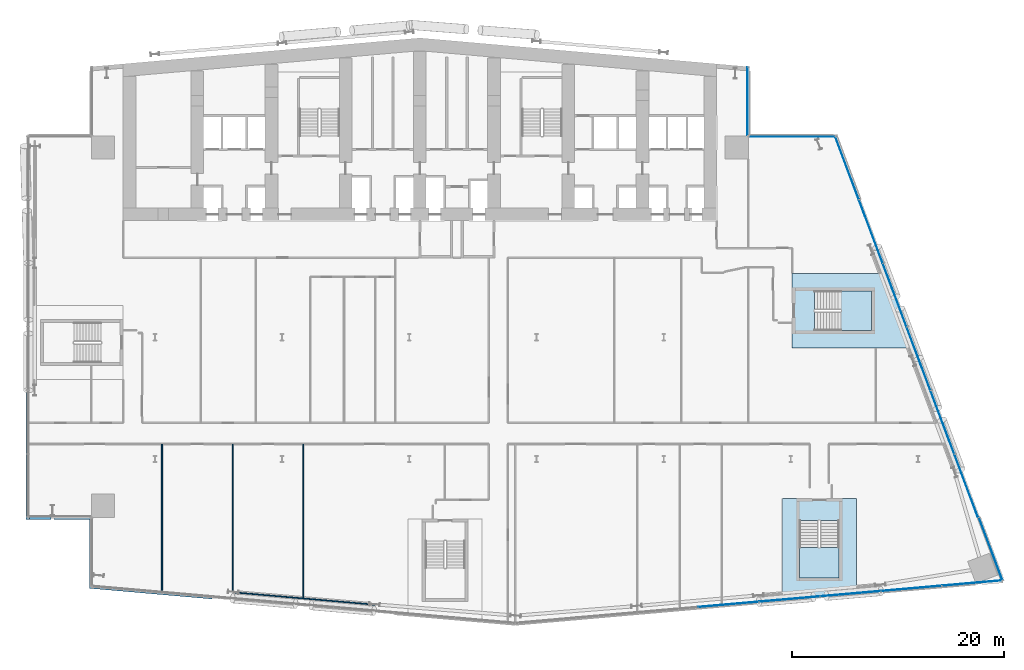
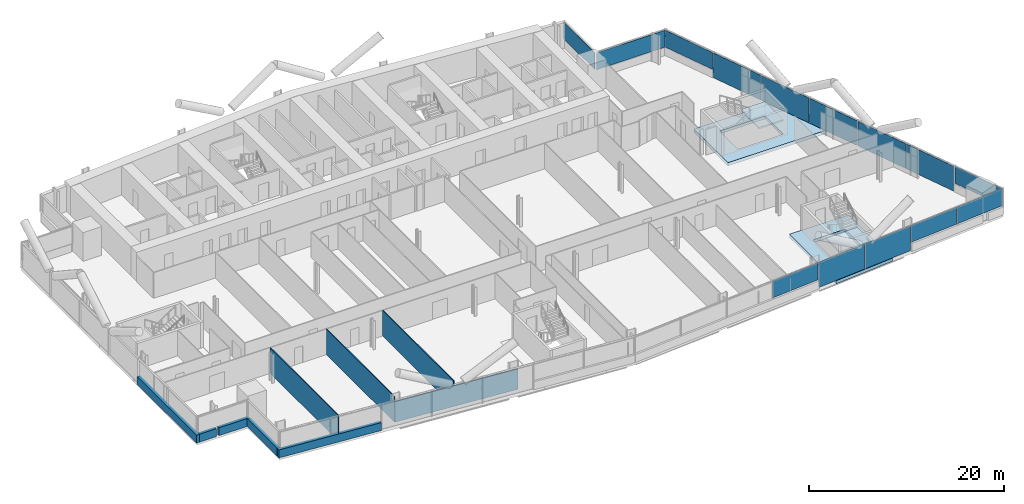
# One storey, part 12 of 27: 14 plates, 9 walls, 4 slabs, 6 elements without a shape of their own.
"""IFC4 building model written with IfcOpenShell, lengths in metres."""

from ifc_helpers import new_model, si_unit, direction, frame, frame_2d, origin, origin_2d, place, context, subcontext, project, spatial, polyline, rectangle, outline, extrude, material, layer, layer_set, type_object, element, aggregate, save


model = new_model("IFC4")

# Units and contexts
model_context = context("Model", 3, precision=1e-05, world=origin(), true_north=direction((0.0, 1.0)))
body_context = subcontext(model_context, "Body", "Model", "MODEL_VIEW")
ifc_project = project(units=[si_unit("LENGTHUNIT", "METRE"), si_unit("AREAUNIT", "SQUARE_METRE"), si_unit("VOLUMEUNIT", "CUBIC_METRE"), si_unit("PLANEANGLEUNIT", "RADIAN"), si_unit("MASSUNIT", "GRAM", prefix="KILO")], contexts=[model_context])

# Site, building, storey
site_placement = place(None, origin())
site = spatial("IfcSite", under=ifc_project, at=site_placement, CompositionType="ELEMENT")
building_placement = place(site_placement, origin())
building = spatial("IfcBuilding", under=site, at=building_placement, Name="Wharfspan Tower", CompositionType="ELEMENT")
storey_placement = place(building_placement, frame((0.0, 0.0, 84.699951)))
storey = spatial("IfcBuildingStorey", under=building, at=storey_placement, Name="L18", CompositionType="ELEMENT", Elevation=84.699951)

# Curtain wall, plates
ifc_material_1 = material(Name="Aluminium 6063-T6", Category="aluminium")
curtain_wall_type_1 = type_object("IfcCurtainWallType", Name="CURTAIN WALL FACETED FRONT", PredefinedType="NOTDEFINED", material=ifc_material_1)
curtain_wall_1_placement = place(storey_placement, origin())
curtain_wall_1 = element("IfcCurtainWall", 1, at=curtain_wall_1_placement, inside=storey, type_object=curtain_wall_type_1, Name="Curtain wall S2", PredefinedType="NOTDEFINED")
ifc_material_2 = material(Name="Glass clear low-iron double glazing", Category="glass")
ifc_layer_1 = layer(ifc_material_2, 0.040039)
ifc_layer_set_1 = layer_set([ifc_layer_1], Name="Glass clear low-iron double glazing")
plate_type_1 = type_object("IfcPlateType", Name="GLASS PANEL FACETED FRONT 40", PredefinedType="CURTAIN_PANEL", material=ifc_layer_set_1)
plate_1_placement = place(storey_placement, frame((66.119873, -2.204102, 1.0), z_axis=(0.0, 0.0, 1.0), x_axis=(0.996197, 0.087156, 0.0)))
plate_1 = element("IfcPlate", 2, at=plate_1_placement, type_object=plate_type_1, Name="Curtain wall S2 panel 4", PredefinedType="CURTAIN_PANEL", context=body_context, shape_type="SweptSolid", body=[
    extrude(rectangle(XDim=5.711914, YDim=0.040039, at=origin_2d()), origin(), (0.0, 0.0, 1.0), 2.120117),
])
plate_2_placement = place(storey_placement, frame((83.369873, -0.694824, 1.0), z_axis=(0.0, 0.0, 1.0), x_axis=(0.996197, 0.087156, 0.0)))
plate_2 = element("IfcPlate", 3, at=plate_2_placement, type_object=plate_type_1, Name="Curtain wall S2 panel 7", PredefinedType="CURTAIN_PANEL", context=body_context, shape_type="SweptSolid", body=[
    extrude(rectangle(XDim=5.711914, YDim=0.040039, at=origin_2d()), origin(), (0.0, 0.0, 1.0), 2.120117),
])
plate_3_placement = place(storey_placement, frame((89.104736, -0.193115, 1.0), z_axis=(0.0, 0.0, 1.0), x_axis=(0.996197, 0.087156, 0.0)))
plate_3 = element("IfcPlate", 4, at=plate_3_placement, type_object=plate_type_1, Name="Curtain wall S2 panel 8", PredefinedType="CURTAIN_PANEL", context=body_context, shape_type="SweptSolid", body=[
    extrude(rectangle(XDim=5.681885, YDim=0.040039, at=origin_2d()), origin(), (0.0, 0.0, 1.0), 2.120117),
])

curtain_wall_type_2 = type_object("IfcCurtainWallType", Name="CURTAIN WALL PROW AND END", PredefinedType="NOTDEFINED", material=ifc_material_1)
curtain_wall_2_placement = place(storey_placement, origin())
curtain_wall_2 = element("IfcCurtainWall", 5, at=curtain_wall_2_placement, inside=storey, type_object=curtain_wall_type_2, Name="Curtain wall E", PredefinedType="NOTDEFINED")
ifc_layer_2 = layer(ifc_material_2, 0.040039)
ifc_layer_set_2 = layer_set([ifc_layer_2], Name="Glass clear low-iron double glazing")
plate_type_2 = type_object("IfcPlateType", Name="GLASS PANEL PROW AND END 40", PredefinedType="CURTAIN_PANEL", material=ifc_layer_set_2)
plate_4_placement = place(storey_placement, frame((90.869629, 3.01416, 1.0), z_axis=(0.0, 0.0, 1.0), x_axis=(-0.351123, 0.936328, 0.0)))
plate_4 = element("IfcPlate", 6, at=plate_4_placement, type_object=plate_type_2, Name="Curtain wall E panel 1", PredefinedType="CURTAIN_PANEL", context=body_context, shape_type="SweptSolid", body=[
    extrude(rectangle(XDim=6.318115, YDim=0.040039, at=origin_2d()), origin(), (0.0, 0.0, 1.0), 2.120117),
])
plate_5_placement = place(storey_placement, frame((77.30542, 38.957764, 1.0), z_axis=(0.0, 0.0, 1.0), x_axis=(-0.351123, 0.936328, 0.0)))
plate_5 = element("IfcPlate", 7, at=plate_5_placement, type_object=plate_type_2, Name="Curtain wall E panel 7", PredefinedType="CURTAIN_PANEL", context=body_context, shape_type="SweptSolid", body=[
    extrude(rectangle(XDim=6.318115, YDim=0.040039, at=origin_2d()), origin(), (0.0, 0.0, 1.0), 2.120117),
])

# Curtain wall, plate
curtain_wall_3_placement = place(storey_placement, origin())
curtain_wall_3 = element("IfcCurtainWall", 8, at=curtain_wall_3_placement, inside=storey, type_object=curtain_wall_type_2, Name="Curtain wall NRE-H", PredefinedType="NOTDEFINED")
plate_6_placement = place(storey_placement, frame((72.125, 41.919922, 1.0), z_axis=(0.0, 0.0, 1.0), x_axis=(-1.0, 0.0, 0.0)))
plate_6 = element("IfcPlate", 9, at=plate_6_placement, type_object=plate_type_2, Name="Curtain wall NRE-H panel 1", PredefinedType="CURTAIN_PANEL", context=body_context, shape_type="SweptSolid", body=[
    extrude(rectangle(XDim=8.129883, YDim=0.040039, at=origin_2d()), origin(), (0.0, 0.0, 1.0), 2.120117),
])
aggregate(curtain_wall_3, [plate_6])

curtain_wall_4_placement = place(storey_placement, origin())
curtain_wall_4 = element("IfcCurtainWall", 10, at=curtain_wall_4_placement, inside=storey, type_object=curtain_wall_type_2, Name="Curtain wall NRE-V", PredefinedType="NOTDEFINED")
plate_7_placement = place(storey_placement, frame((67.919922, 45.262451, 1.0), z_axis=(0.0, 0.0, 1.0), x_axis=(0.0, 1.0, 0.0)))
plate_7 = element("IfcPlate", 11, at=plate_7_placement, type_object=plate_type_2, Name="Curtain wall NRE-V panel 1", PredefinedType="CURTAIN_PANEL", context=body_context, shape_type="SweptSolid", body=[
    extrude(rectangle(XDim=6.405029, YDim=0.040039, at=origin_2d()), origin(), (0.0, 0.0, 1.0), 2.120117),
])
aggregate(curtain_wall_4, [plate_7])

# Plate
ifc_material_3 = material(Name="Aluminium composite opaque insulated panel", Category="aluminium")
ifc_layer_3 = layer(ifc_material_3, 0.040039)
ifc_layer_set_3 = layer_set([ifc_layer_3], Name="Aluminium composite opaque insulated panel")
plate_type_3 = type_object("IfcPlateType", Name="INFILL PANEL FACETED FRONT OPAQUE 40", PredefinedType="SHEET", material=ifc_layer_set_3)
plate_8_placement = place(storey_placement, frame((71.869873, -1.700928, 0.0), z_axis=(0.0, 0.0, 1.0), x_axis=(0.996197, 0.087156, 0.0)))
plate_8 = element("IfcPlate", 12, at=plate_8_placement, type_object=plate_type_3, Name="Curtain wall S2 panel 5", PredefinedType="SHEET", context=body_context, shape_type="SweptSolid", body=[
    extrude(rectangle(XDim=5.711914, YDim=0.040039, at=origin_2d()), origin(), (0.0, 0.0, 1.0), 3.120117),
])

plate_9_placement = place(storey_placement, frame((77.619873, -1.197998, 0.0), z_axis=(0.0, 0.0, 1.0), x_axis=(0.996197, 0.087156, 0.0)))
plate_9 = element("IfcPlate", 13, at=plate_9_placement, type_object=plate_type_3, Name="Curtain wall S2 panel 6", PredefinedType="SHEET", context=body_context, shape_type="SweptSolid", body=[
    extrude(rectangle(XDim=5.711914, YDim=0.040039, at=origin_2d()), origin(), (0.0, 0.0, 1.0), 3.120117),
])

aggregate(curtain_wall_1, [plate_1, plate_8, plate_9, plate_2, plate_3])

ifc_layer_4 = layer(ifc_material_3, 0.040039)
ifc_layer_set_4 = layer_set([ifc_layer_4], Name="Aluminium composite opaque insulated panel")
plate_type_4 = type_object("IfcPlateType", Name="INFILL PANEL PROW AND END OPAQUE 40", PredefinedType="SHEET", material=ifc_layer_set_4)
plate_10_placement = place(storey_placement, frame((88.550049, 8.971924, 0.0), z_axis=(0.0, 0.0, 1.0), x_axis=(-0.351123, 0.936328, 0.0)))
plate_10 = element("IfcPlate", 14, at=plate_10_placement, type_object=plate_type_4, Name="Curtain wall E panel 2", PredefinedType="SHEET", context=body_context, shape_type="SweptSolid", body=[
    extrude(rectangle(XDim=6.3479, YDim=0.040039, at=origin_2d()), origin(), (0.0, 0.0, 1.0), 3.120117),
])

plate_11_placement = place(storey_placement, frame((86.300049, 14.971924, 0.0), z_axis=(0.0, 0.0, 1.0), x_axis=(-0.351123, 0.936328, 0.0)))
plate_11 = element("IfcPlate", 15, at=plate_11_placement, type_object=plate_type_4, Name="Curtain wall E panel 3", PredefinedType="SHEET", context=body_context, shape_type="SweptSolid", body=[
    extrude(rectangle(XDim=6.3479, YDim=0.040039, at=origin_2d()), origin(), (0.0, 0.0, 1.0), 3.120117),
])

plate_12_placement = place(storey_placement, frame((84.050049, 20.971924, 0.0), z_axis=(0.0, 0.0, 1.0), x_axis=(-0.351123, 0.936328, 0.0)))
plate_12 = element("IfcPlate", 16, at=plate_12_placement, type_object=plate_type_4, Name="Curtain wall E panel 4", PredefinedType="SHEET", context=body_context, shape_type="SweptSolid", body=[
    extrude(rectangle(XDim=6.3479, YDim=0.040039, at=origin_2d()), origin(), (0.0, 0.0, 1.0), 3.120117),
])

plate_13_placement = place(storey_placement, frame((81.800049, 26.971924, 0.0), z_axis=(0.0, 0.0, 1.0), x_axis=(-0.351123, 0.936328, 0.0)))
plate_13 = element("IfcPlate", 17, at=plate_13_placement, type_object=plate_type_4, Name="Curtain wall E panel 5", PredefinedType="SHEET", context=body_context, shape_type="SweptSolid", body=[
    extrude(rectangle(XDim=6.3479, YDim=0.040039, at=origin_2d()), origin(), (0.0, 0.0, 1.0), 3.120117),
])

plate_14_placement = place(storey_placement, frame((79.550049, 32.971924, 0.0), z_axis=(0.0, 0.0, 1.0), x_axis=(-0.351123, 0.936328, 0.0)))
plate_14 = element("IfcPlate", 18, at=plate_14_placement, type_object=plate_type_4, Name="Curtain wall E panel 6", PredefinedType="SHEET", context=body_context, shape_type="SweptSolid", body=[
    extrude(rectangle(XDim=6.3479, YDim=0.040039, at=origin_2d()), origin(), (0.0, 0.0, 1.0), 3.120117),
])

aggregate(curtain_wall_2, [plate_4, plate_10, plate_11, plate_12, plate_13, plate_14, plate_5])

# Slabs
ifc_material_4 = material(Name="Concrete C40/50", Category="concrete")
ifc_layer_5 = layer(ifc_material_4, 0.399902)
ifc_layer_set_5 = layer_set([ifc_layer_5], Name="Concrete C40/50")
slab_type_1 = type_object("IfcSlabType", Name="Post-tensioned flat slab 400", PredefinedType="FLOOR", material=ifc_layer_set_5)
slab_1_placement = place(storey_placement, frame((0.0, 0.0, -0.400146)))
element("IfcSlab", 19, at=slab_1_placement, inside=storey, type_object=slab_type_1, Name="Core floor slab L18 part 5", PredefinedType="FLOOR", context=body_context, shape_type="SweptSolid", body=[
    extrude(outline(polyline([(78.192383, 7.791992), (76.867432, 7.791992), (72.517578, 7.791992), (71.192383, 7.791992), (71.192383, -1.820312), (78.192383, -1.208008), (78.192383, 7.791992)]), holes=[polyline([(76.567383, 5.694092), (76.567627, 5.694092), (76.567871, 5.694092), (76.568115, 5.693848), (76.568115, 5.693848), (76.568359, 5.693848), (76.568604, 5.693604), (76.568604, 5.693604), (76.568848, 5.693359), (76.569092, 5.693359), (76.569092, 5.693115), (76.569092, 5.692871), (76.569336, 5.692871), (76.569336, 5.692627), (76.569336, 5.692383), (76.56958, 5.692139), (76.56958, 5.691895), (76.56958, 0.291992), (76.56958, 0.291748), (76.569336, 0.291504), (76.569336, 0.291504), (76.569336, 0.29126), (76.569092, 0.291016), (76.569092, 0.291016), (76.569092, 0.290771), (76.568848, 0.290527), (76.568604, 0.290527), (76.568604, 0.290283), (76.568359, 0.290283), (76.568115, 0.290283), (76.568115, 0.290039), (76.567871, 0.290039), (76.567627, 0.290039), (76.567383, 0.290039), (72.817383, 0.290039), (72.817383, 0.290039), (72.817139, 0.290039), (72.816895, 0.290039), (72.81665, 0.290283), (72.816406, 0.290283), (72.816406, 0.290283), (72.816162, 0.290527), (72.816162, 0.290527), (72.815918, 0.290771), (72.815918, 0.291016), (72.815674, 0.291016), (72.815674, 0.29126), (72.815674, 0.291504), (72.81543, 0.291504), (72.81543, 0.291748), (72.81543, 0.291992), (72.81543, 5.691895), (72.81543, 5.692139), (72.81543, 5.692383), (72.815674, 5.692627), (72.815674, 5.692871), (72.815674, 5.692871), (72.815918, 5.693115), (72.815918, 5.693359), (72.816162, 5.693359), (72.816162, 5.693604), (72.816406, 5.693604), (72.816406, 5.693848), (72.81665, 5.693848), (72.816895, 5.693848), (72.817139, 5.694092), (72.817383, 5.694092), (72.817383, 5.694092), (76.567383, 5.694092)])]), origin(), (0.0, 0.0, 1.0), 0.400146),
])
slab_2_placement = place(storey_placement, frame((0.0, 0.0, -0.400146)))
element("IfcSlab", 20, at=slab_2_placement, inside=storey, type_object=slab_type_1, Name="Core floor slab L18 part 6", PredefinedType="FLOOR", context=body_context, shape_type="SweptSolid", body=[
    extrude(outline(polyline([(81.125, 29.0), (72.125, 29.0), (72.125, 27.675049), (72.125, 23.324951), (72.125, 22.0), (83.75, 22.0), (81.125, 29.0)]), holes=[polyline([(74.2229, 27.375), (74.2229, 27.375244), (74.2229, 27.375488), (74.223145, 27.375488), (74.223145, 27.375732), (74.223145, 27.375977), (74.223389, 27.376221), (74.223389, 27.376221), (74.223633, 27.376465), (74.223633, 27.376465), (74.223877, 27.376709), (74.224121, 27.376709), (74.224121, 27.376709), (74.224365, 27.376953), (74.224609, 27.376953), (74.224854, 27.376953), (74.225098, 27.376953), (79.625, 27.376953), (79.625244, 27.376953), (79.625488, 27.376953), (79.625488, 27.376953), (79.625732, 27.376709), (79.625977, 27.376709), (79.626221, 27.376709), (79.626221, 27.376465), (79.626465, 27.376465), (79.626465, 27.376221), (79.626709, 27.376221), (79.626709, 27.375977), (79.626709, 27.375732), (79.626953, 27.375488), (79.626953, 27.375488), (79.626953, 27.375244), (79.626953, 27.375), (79.626953, 23.625), (79.626953, 23.624756), (79.626953, 23.624512), (79.626953, 23.624512), (79.626709, 23.624268), (79.626709, 23.624023), (79.626709, 23.623779), (79.626465, 23.623779), (79.626465, 23.623535), (79.626221, 23.623535), (79.626221, 23.623291), (79.625977, 23.623291), (79.625732, 23.623291), (79.625488, 23.623047), (79.625488, 23.623047), (79.625244, 23.623047), (79.625, 23.623047), (74.225098, 23.623047), (74.224854, 23.623047), (74.224609, 23.623047), (74.224365, 23.623047), (74.224121, 23.623291), (74.224121, 23.623291), (74.223877, 23.623291), (74.223633, 23.623535), (74.223633, 23.623535), (74.223389, 23.623779), (74.223389, 23.623779), (74.223145, 23.624023), (74.223145, 23.624268), (74.223145, 23.624512), (74.2229, 23.624512), (74.2229, 23.624756), (74.2229, 23.625), (74.2229, 27.375)])]), origin(), (0.0, 0.0, 1.0), 0.400146),
])

# Stair, slab
stair_type = type_object("IfcStairType", Name="Half-turn stair 20 risers 180 mm", PredefinedType="HALF_TURN_STAIR", material=ifc_material_4)
stair_1_placement = place(storey_placement, origin())
stair_1 = element("IfcStair", 21, at=stair_1_placement, inside=storey, type_object=stair_type, Name="L18 stair ST5", PredefinedType="HALF_TURN_STAIR")
ifc_layer_6 = layer(ifc_material_4, 0.199951)
ifc_layer_set_6 = layer_set([ifc_layer_6], Name="Concrete C40/50")
slab_type_2 = type_object("IfcSlabType", Name="Stair landing 200", PredefinedType="LANDING", material=ifc_layer_set_6)
slab_3_placement = place(storey_placement, frame((0.0, 0.0, 1.599854)))
slab_3 = element("IfcSlab", 22, at=slab_3_placement, type_object=slab_type_2, Name="ST5 landing 1", PredefinedType="LANDING", context=body_context, shape_type="SweptSolid", body=[
    extrude(outline(polyline([(72.817383, 3.172119), (72.817383, 0.291992), (76.567383, 0.291992), (76.567383, 3.172119), (72.817383, 3.172119)])), origin(), (0.0, 0.0, 1.0), 0.200195),
])
aggregate(stair_1, [slab_3])

stair_2_placement = place(storey_placement, origin())
stair_2 = element("IfcStair", 23, at=stair_2_placement, inside=storey, type_object=stair_type, Name="L18 stair ST6", PredefinedType="HALF_TURN_STAIR")
slab_4_placement = place(storey_placement, frame((0.0, 0.0, 1.599854)))
slab_4 = element("IfcSlab", 24, at=slab_4_placement, type_object=slab_type_2, Name="ST6 landing 1", PredefinedType="LANDING", context=body_context, shape_type="SweptSolid", body=[
    extrude(outline(polyline([(76.745117, 23.625), (79.625, 23.625), (79.625, 27.375), (76.745117, 27.375), (76.745117, 23.625)])), origin(), (0.0, 0.0, 1.0), 0.200195),
])
aggregate(stair_2, [slab_4])

# Walls
ifc_material_5 = material(Name="Gypsum board on steel studs", Category="steel")
ifc_layer_7 = layer(ifc_material_5, 0.100098)
ifc_layer_set_7 = layer_set([ifc_layer_7], Name="Gypsum board on steel studs")
wall_type_1 = type_object("IfcWallType", Name="Compartment wall 100 EI 60", PredefinedType="PARTITIONING", material=ifc_layer_set_7)
wall_1_placement = place(storey_placement, frame((12.669922, -1.088379, 0.0), z_axis=(0.0, 0.0, 1.0), x_axis=(0.0, 1.0, 0.0)))
element("IfcWall", 25, at=wall_1_placement, inside=storey, type_object=wall_type_1, Name="Partition L18.w014", PredefinedType="PARTITIONING", context=body_context, shape_type="SweptSolid", body=[
    extrude(rectangle(XDim=14.013428, YDim=0.100098, at=frame_2d((7.006836, 0.0))), origin(), (0.0, 0.0, 1.0), 3.199951),
])
wall_2_placement = place(storey_placement, frame((19.334961, -1.060059, 0.0), z_axis=(0.0, 0.0, 1.0), x_axis=(0.0, 1.0, 0.0)))
element("IfcWall", 26, at=wall_2_placement, inside=storey, type_object=wall_type_1, Name="Partition L18.w016", PredefinedType="PARTITIONING", context=body_context, shape_type="SweptSolid", body=[
    extrude(rectangle(XDim=13.985107, YDim=0.100098, at=frame_2d((6.992676, 0.0))), origin(), (0.0, 0.0, 1.0), 3.199951),
])
wall_3_placement = place(storey_placement, frame((26.0, -1.64502, 0.0), z_axis=(0.0, 0.0, 1.0), x_axis=(0.0, 1.0, 0.0)))
element("IfcWall", 27, at=wall_3_placement, inside=storey, type_object=wall_type_1, Name="Partition L18.w018", PredefinedType="PARTITIONING", context=body_context, shape_type="SweptSolid", body=[
    extrude(rectangle(XDim=14.570068, YDim=0.100098, at=frame_2d((7.285156, 0.0))), origin(), (0.0, 0.0, 1.0), 3.199951),
])
ifc_layer_8 = layer(ifc_material_5, 0.100098)
ifc_layer_set_8 = layer_set([ifc_layer_8], Name="Gypsum board on steel studs")
wall_type_2 = type_object("IfcWallType", Name="Partition 100", PredefinedType="PARTITIONING", material=ifc_layer_set_8)
wall_4_placement = place(storey_placement, frame((33.219971, -2.274902, 0.0), z_axis=(0.0, 0.0, 1.0), x_axis=(-0.996218, 0.086914, 0.0)))
element("IfcWall", 28, at=wall_4_placement, inside=storey, type_object=wall_type_2, Name="Partition L18.w023", PredefinedType="PARTITIONING", context=body_context, shape_type="SweptSolid", body=[
    extrude(rectangle(XDim=13.938232, YDim=0.100098, at=frame_2d((6.969238, 0.0))), origin(), (0.0, 0.0, 1.0), 2.580078),
])
ifc_layer_9 = layer(ifc_material_4, 0.350098)
ifc_layer_set_9 = layer_set([ifc_layer_9], Name="Concrete C40/50")
wall_type_3 = type_object("IfcWallType", Name="SPANDREL EXPOSED CONCRETE 350", PredefinedType="SOLIDWALL", material=ifc_layer_set_9)
wall_5_placement = place(storey_placement, frame((5.835205, -0.515625, 0.0), z_axis=(0.0, 0.0, 1.0), x_axis=(0.996192, -0.087142, 0.0)))
element("IfcWall", 29, at=wall_5_placement, inside=storey, type_object=wall_type_3, Name="Spandrel upstand L18 S1 1", PredefinedType="SOLIDWALL", context=body_context, shape_type="SweptSolid", body=[
    extrude(rectangle(XDim=11.607178, YDim=0.350098, at=frame_2d((5.803711, 0.0))), origin(), (0.0, 0.0, 1.0), 1.0),
])
wall_6_placement = place(storey_placement, frame((-0.004883, 17.969971, 0.0), z_axis=(0.0, 0.0, 1.0), x_axis=(0.0, -1.0, 0.0)))
element("IfcWall", 30, at=wall_6_placement, inside=storey, type_object=wall_type_3, Name="Spandrel upstand L18 W", PredefinedType="SOLIDWALL", context=body_context, shape_type="SweptSolid", body=[
    extrude(rectangle(XDim=12.149902, YDim=0.350098, at=frame_2d((6.074951, 0.0))), origin(), (0.0, 0.0, 1.0), 1.0),
])
wall_7_placement = place(storey_placement, frame((0.169922, 5.995117, 0.0), z_axis=(0.0, 0.0, 1.0), x_axis=(1.0, 0.0, 0.0)))
element("IfcWall", 31, at=wall_7_placement, inside=storey, type_object=wall_type_3, Name="Spandrel upstand L18 NFW-H", PredefinedType="SOLIDWALL", context=body_context, shape_type="SweptSolid", body=[
    extrude(rectangle(XDim=2.010742, YDim=0.350098, at=frame_2d((1.005371, 0.0))), origin(), (0.0, 0.0, 1.0), 1.0),
])
wall_8_placement = place(storey_placement, frame((2.482666, 5.995117, 0.0), z_axis=(0.0, 0.0, 1.0), x_axis=(1.0, 0.0, 0.0)))
element("IfcWall", 32, at=wall_8_placement, inside=storey, type_object=wall_type_3, Name="Spandrel upstand L18 NFW-H 2", PredefinedType="SOLIDWALL", context=body_context, shape_type="SweptSolid", body=[
    extrude(rectangle(XDim=3.517334, YDim=0.350098, at=frame_2d((1.758789, 0.0))), origin(), (0.0, 0.0, 1.0), 1.0),
])
wall_9_placement = place(storey_placement, frame((5.995117, 5.820068, 0.0), z_axis=(0.0, 0.0, 1.0), x_axis=(0.0, -1.0, 0.0)))
element("IfcWall", 33, at=wall_9_placement, inside=storey, type_object=wall_type_3, Name="Spandrel upstand L18 NFW-V", PredefinedType="SOLIDWALL", context=body_context, shape_type="SweptSolid", body=[
    extrude(rectangle(XDim=6.161377, YDim=0.350098, at=frame_2d((3.080566, 0.0))), origin(), (0.0, 0.0, 1.0), 1.0),
])

save(model, "model.ifc")
